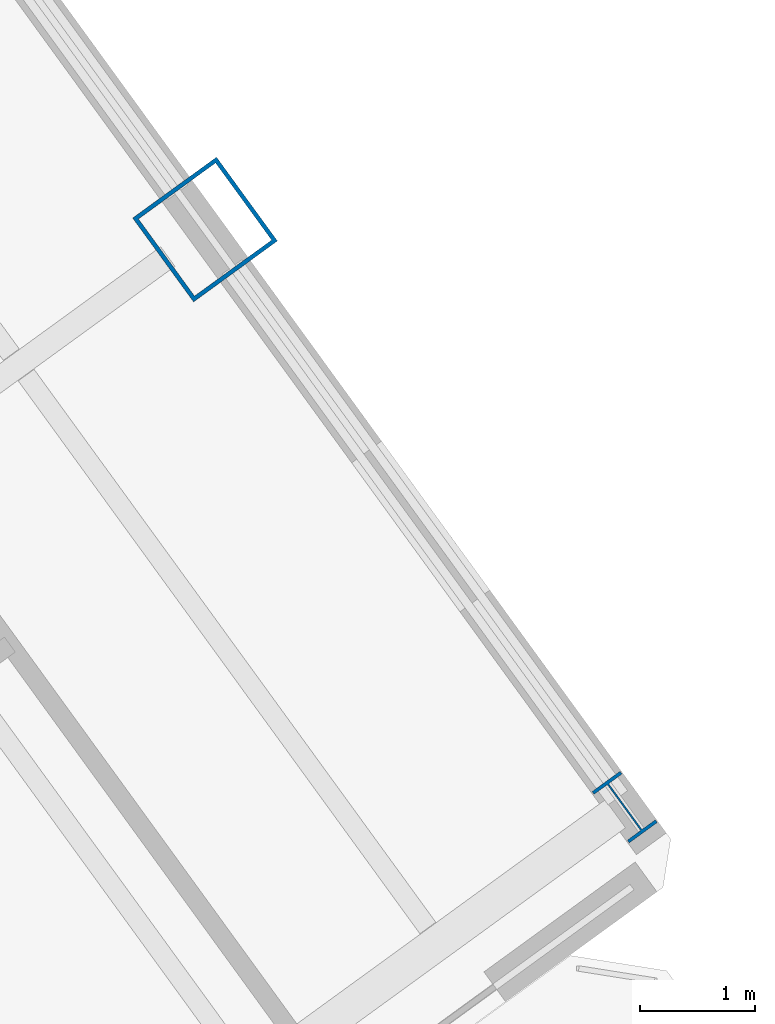
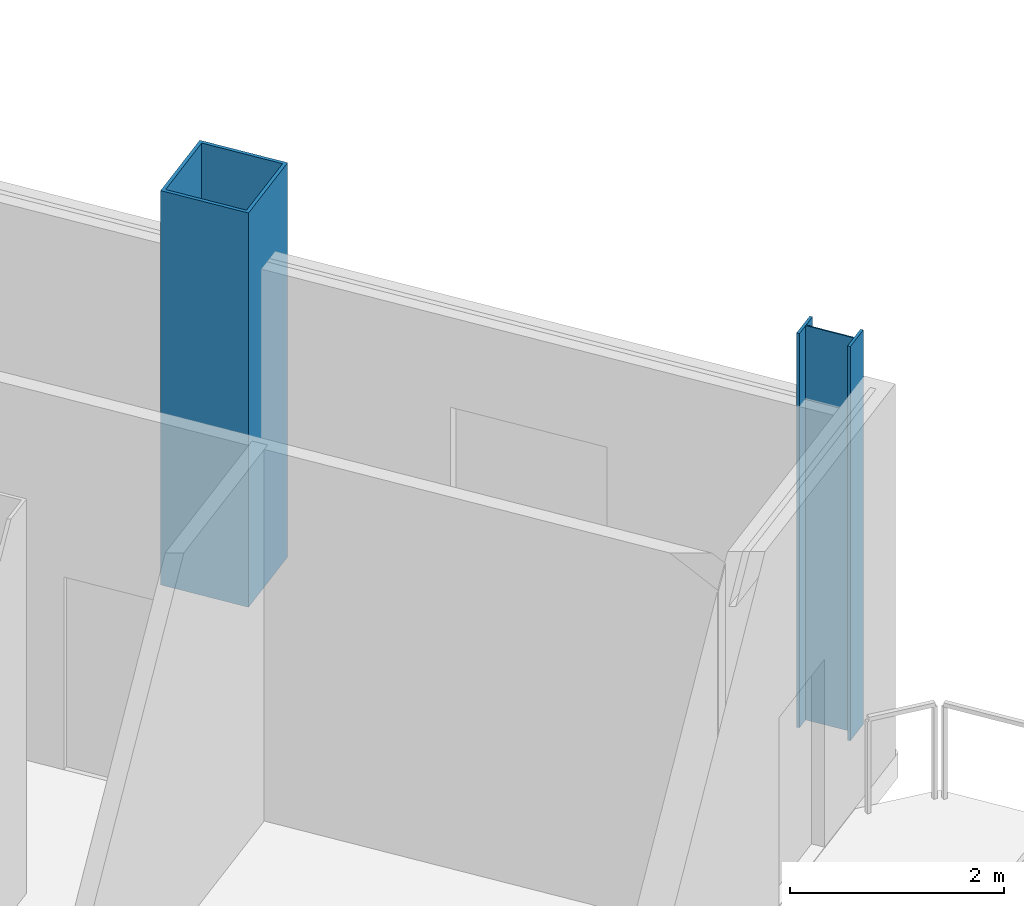
# One storey, part 4 of 18: 2 columns.
"""IFC4 building model written with IfcOpenShell, lengths in metres."""

import ifcopenshell
import ifcopenshell.guid

model = None  # the IFC model being written
_history = None  # IfcOwnerHistory: only IFC2X3 demands one
_inside = {}  # id of a spatial element -> (the spatial element, [elements in it])
_under = {}  # id of a project, library or spatial element -> (it, [spatial elements below it])
_declared = {}  # id of a project -> (the project, [libraries it declares])
_typed = {}  # id of a type object -> (the type object, [elements of that type])
_made_of = {}  # id of a material, layer set ... -> (it, [elements and type objects made of it])


def new_model(schema):
    """Start an empty IFC model of exactly this schema.

    Asked for "IFC4X3", IfcOpenShell would pick the latest addendum, in which some entities
    have other attributes; the version numbers below select the first issue.
    IFC2X3 requires an IfcOwnerHistory on every rooted entity: one is made here for all.
    """
    global model, _history
    if schema == "IFC4X3":
        model = ifcopenshell.file(schema_version=(4, 3, 0, 0))
    else:
        model = ifcopenshell.file(schema=schema)
    _inside.clear()
    _under.clear()
    _declared.clear()
    _typed.clear()
    _made_of.clear()
    _history = None
    if model.schema == "IFC2X3":
        org = make("IfcOrganization", Name="unknown")
        user = make(
            "IfcPersonAndOrganization",
            ThePerson=make("IfcPerson", FamilyName="unknown"),
            TheOrganization=org,
        )
        app = make(
            "IfcApplication",
            ApplicationDeveloper=org,
            Version="unknown",
            ApplicationFullName="unknown",
            ApplicationIdentifier="unknown",
        )
        _history = make(
            "IfcOwnerHistory",
            OwningUser=user,
            OwningApplication=app,
            ChangeAction="ADDED",
            CreationDate=0,
        )
    return model


def make(cls, **values):
    """One entity of the class cls with the attributes given. An attribute that is None is left unset."""
    return model.create_entity(
        cls, **{name: value for name, value in values.items() if value is not None}
    )


def rooted(cls, **values):
    """An entity with a GlobalId (a new one), such as an element, a storey or a relation."""
    return make(cls, GlobalId=ifcopenshell.guid.new(), OwnerHistory=_history, **values)


def si_unit(unit_type, name, prefix=None):
    """IfcSIUnit, for example si_unit("LENGTHUNIT", "METRE", prefix="MILLI")."""
    return make("IfcSIUnit", UnitType=unit_type, Prefix=prefix, Name=name)


def assignment(units):
    """IfcUnitAssignment: the units of a project."""
    return None if units is None else make("IfcUnitAssignment", Units=units)


def point(xyz):
    """IfcCartesianPoint."""
    return None if xyz is None else make("IfcCartesianPoint", Coordinates=xyz)


def direction(xyz):
    """IfcDirection."""
    return None if xyz is None else make("IfcDirection", DirectionRatios=xyz)


def frame(location, z_axis=None, x_axis=None):
    """IfcAxis2Placement3D, a coordinate frame: its origin and axes. An axis left out is left unset."""
    return make(
        "IfcAxis2Placement3D",
        Location=point(location),
        Axis=direction(z_axis),
        RefDirection=direction(x_axis),
    )


def frame_2d(location, x_axis=None):
    """IfcAxis2Placement2D, a coordinate frame in the plane: its origin and x axis."""
    return make(
        "IfcAxis2Placement2D", Location=point(location), RefDirection=direction(x_axis)
    )


def origin():
    """The frame at (0, 0, 0) with its axes left unset."""
    return frame((0.0, 0.0, 0.0))


def origin_2d():
    """The frame at (0, 0) in the plane with its x axis left unset."""
    return frame_2d((0.0, 0.0))


def place(relative_to, where):
    """IfcLocalPlacement: puts the frame where relative to a parent placement (None: the world)."""
    return make(
        "IfcLocalPlacement", PlacementRelTo=relative_to, RelativePlacement=where
    )


def context(
    kind, dimensions, precision=None, world=None, true_north=None, identifier=None
):
    """IfcGeometricRepresentationContext, for example the 3D "Model" context."""
    return make(
        "IfcGeometricRepresentationContext",
        ContextIdentifier=identifier,
        ContextType=kind,
        CoordinateSpaceDimension=dimensions,
        Precision=precision,
        WorldCoordinateSystem=world,
        TrueNorth=true_north,
    )


def subcontext(parent, identifier, kind, view, scale=None):
    """IfcGeometricRepresentationSubContext, for example "Body" below "Model"."""
    return make(
        "IfcGeometricRepresentationSubContext",
        ContextIdentifier=identifier,
        ContextType=kind,
        ParentContext=parent,
        TargetScale=scale,
        TargetView=view,
    )


def project(units=None, contexts=None):
    """IfcProject with its units and contexts."""
    return rooted(
        "IfcProject",
        Name="project",
        RepresentationContexts=contexts,
        UnitsInContext=assignment(units),
    )


def spatial(cls, under=None, at=None, **own):
    """A site, building, storey or space (cls), placed at a placement, below another one or the project."""
    s = rooted(cls, ObjectPlacement=at, **own)
    if under is not None:
        _under.setdefault(under.id(), (under, []))[1].append(s)
    return s


def profile(cls, at=None, kind="AREA", **sizes):
    """A parametric profile (cls). Its sizes go by their IFC names, for example OverallWidth=200.0."""
    return make(cls, ProfileType=kind, Position=at, **sizes)


def hollow_rectangle(**sizes):
    """IfcRectangleHollowProfileDef."""
    return profile("IfcRectangleHollowProfileDef", **sizes)


def i_section(**sizes):
    """IfcIShapeProfileDef."""
    return profile("IfcIShapeProfileDef", **sizes)


def extrude(swept, where, along, depth):
    """IfcExtrudedAreaSolid: the profile swept, set in the frame where, extruded along a direction by depth."""
    return make(
        "IfcExtrudedAreaSolid",
        SweptArea=swept,
        Position=where,
        ExtrudedDirection=direction(along),
        Depth=depth,
    )


def shape(context_of_items, identifier, shape_type, items):
    """IfcShapeRepresentation: the items that make up one representation, for example the "Body"."""
    return make(
        "IfcShapeRepresentation",
        ContextOfItems=context_of_items,
        RepresentationIdentifier=identifier,
        RepresentationType=shape_type,
        Items=items,
    )


def source(mapping_origin, context_of_items, identifier, shape_type, items):
    """IfcRepresentationMap: a shape defined once, which mapped items show again and again."""
    return make(
        "IfcRepresentationMap",
        MappingOrigin=mapping_origin,
        MappedRepresentation=shape(context_of_items, identifier, shape_type, items),
    )


def transform(
    local_origin,
    x_axis=None,
    y_axis=None,
    z_axis=None,
    scale=None,
    scale2=None,
    scale3=None,
    uniform=True,
):
    """IfcCartesianTransformationOperator3D, or its non-uniform kind. x_axis, y_axis, z_axis: its Axis1, 2, 3."""
    if uniform:
        return make(
            "IfcCartesianTransformationOperator3D",
            Axis1=direction(x_axis),
            Axis2=direction(y_axis),
            LocalOrigin=point(local_origin),
            Scale=scale,
            Axis3=direction(z_axis),
        )
    return make(
        "IfcCartesianTransformationOperator3DnonUniform",
        Axis1=direction(x_axis),
        Axis2=direction(y_axis),
        LocalOrigin=point(local_origin),
        Scale=scale,
        Axis3=direction(z_axis),
        Scale2=scale2,
        Scale3=scale3,
    )


def mapped(mapping_source, mapping_target):
    """IfcMappedItem: shows the shape of a source again, moved by a transform."""
    return make(
        "IfcMappedItem", MappingSource=mapping_source, MappingTarget=mapping_target
    )


def material(Name=None, Category=None):
    """IfcMaterial."""
    return make("IfcMaterial", Name=Name, Category=Category)


def material_profile(
    of_material, cross_section, Name=None, Category=None, Priority=None
):
    """IfcMaterialProfile: a cross section and its material."""
    return make(
        "IfcMaterialProfile",
        Name=Name,
        Material=of_material,
        Profile=cross_section,
        Priority=Priority,
        Category=Category,
    )


def profile_set(profiles, Name=None, composite=None):
    """IfcMaterialProfileSet."""
    return make(
        "IfcMaterialProfileSet",
        Name=Name,
        MaterialProfiles=profiles,
        CompositeProfile=composite,
    )


def made_of(thing, what):
    """Note that an element or type object is made of a material, layer set ...; save() writes the relation."""
    if what is not None:
        _made_of.setdefault(what.id(), (what, []))[1].append(thing)
    return thing


def type_object(cls, material=None, **own):
    """A type object (cls), such as IfcWallType, which elements share."""
    return made_of(rooted(cls, **own), material)


def element(
    cls,
    number,
    at=None,
    inside=None,
    cuts=None,
    type_object=None,
    material=None,
    context=None,
    identifier="Body",
    shape_type=None,
    held_by="IfcProductDefinitionShape",
    body=None,
    shapes=None,
    **own,
):
    """One element of the class cls, such as IfcWall. Its Tag is "e" and its number.

    at: its placement. inside: the storey or other place that contains it. cuts: it is an
    opening in that element (IfcRelVoidsElement). A single representation is given by context,
    identifier, shape_type and body (its items); several are given by shapes. held_by: the class
    of the entity that holds the representations. save() writes the other relations.
    """
    e = rooted(cls, Tag="e%d" % number, ObjectPlacement=at, **own)
    if body is not None:
        shapes = [shape(context, identifier, shape_type, body)]
    if shapes is not None:
        e.Representation = make(held_by, Representations=shapes)
    if inside is not None:
        _inside.setdefault(inside.id(), (inside, []))[1].append(e)
    if cuts is not None:
        rooted(
            "IfcRelVoidsElement", RelatingBuildingElement=cuts, RelatedOpeningElement=e
        )
    if type_object is not None:
        _typed.setdefault(type_object.id(), (type_object, []))[1].append(e)
    return made_of(e, material)


def aggregate(whole, parts):
    """IfcRelAggregates: a whole, such as a stair, and the parts it consists of."""
    return rooted("IfcRelAggregates", RelatingObject=whole, RelatedObjects=parts)


def save(model, path):
    """Write the relations noted so far, then the file.

    IfcRelAggregates (storeys below a building ...), IfcRelContainedInSpatialStructure (elements
    in a storey), IfcRelDefinesByType, IfcRelAssociatesMaterial and IfcRelDeclares: one each for
    every whole, place, type object, material and project.
    """
    for whole, parts in _under.values():
        aggregate(whole, parts)
    for where, things in _inside.values():
        rooted(
            "IfcRelContainedInSpatialStructure",
            RelatedElements=things,
            RelatingStructure=where,
        )
    for kind, things in _typed.values():
        rooted("IfcRelDefinesByType", RelatedObjects=things, RelatingType=kind)
    for what, things in _made_of.values():
        rooted("IfcRelAssociatesMaterial", RelatedObjects=things, RelatingMaterial=what)
    for by, libraries in _declared.values():
        rooted("IfcRelDeclares", RelatingContext=by, RelatedDefinitions=libraries)
    model.write(path)


model = new_model("IFC4")

# Units and contexts
model_context = context("Model", 3, precision=1e-05, world=origin(), true_north=direction((0.0, 1.0)))
body_context = subcontext(model_context, "Body", "Model", "MODEL_VIEW")
ifc_project = project(units=[si_unit("LENGTHUNIT", "METRE"), si_unit("AREAUNIT", "SQUARE_METRE"), si_unit("VOLUMEUNIT", "CUBIC_METRE"), si_unit("PLANEANGLEUNIT", "RADIAN"), si_unit("MASSUNIT", "GRAM", prefix="KILO")], contexts=[model_context])

# Site, building, storey
site_placement = place(None, origin())
site = spatial("IfcSite", under=ifc_project, at=site_placement, CompositionType="ELEMENT")
building_placement = place(site_placement, origin())
building = spatial("IfcBuilding", under=site, at=building_placement, Name="Tlacorven Tower", CompositionType="ELEMENT")
storey_placement = place(building_placement, frame((0.0, 0.0, 136.199951171875)))
storey = spatial("IfcBuildingStorey", under=building, at=storey_placement, Name="L34", CompositionType="ELEMENT", Elevation=136.199951171875)

# Columns
ifc_material = material(Name="Steel S460M", Category="steel")
ifc_material_profile_1 = material_profile(ifc_material, hollow_rectangle(XDim=0.89990234375, YDim=0.89990234375, WallThickness=0.035888671875, at=origin_2d()), Name="BOX 900X900X36")
ifc_profile_set_1 = profile_set([ifc_material_profile_1], Name="Steel S460M")
column_type_1 = type_object("IfcColumnType", Name="COL-TWR-S2", PredefinedType="COLUMN", material=ifc_profile_set_1)
shared_shape_1 = source(origin(), body_context, "Body", "SweptSolid", [
    extrude(hollow_rectangle(XDim=0.89990234375, YDim=0.89990234375, WallThickness=0.035888671875, at=origin_2d()), origin(), (0.0, 0.0, 1.0), 4.5),
])
column_1_placement = place(storey_placement, frame((67.267822265625, 23.353515625, 0.0), z_axis=(0.0, 0.0, 1.0), x_axis=(0.809016994375, 0.587785252292, 0.0)))
element("IfcColumn", 1, at=column_1_placement, inside=storey, type_object=column_type_1, Name="L34 column COL-L34-E4-2", PredefinedType="COLUMN", context=body_context, shape_type="MappedRepresentation", body=[
    mapped(shared_shape_1, transform((0.0, 0.0, 0.0), scale=1.0)),
])
ifc_material_profile_2 = material_profile(ifc_material, i_section(OverallWidth=0.300048828125, OverallDepth=0.550048828125, WebThickness=0.014892578125, FlangeThickness=0.029052734375, at=origin_2d()), Name="HEB 550")
ifc_profile_set_2 = profile_set([ifc_material_profile_2], Name="Steel S460M")
column_type_2 = type_object("IfcColumnType", Name="COL-TWR-P2", PredefinedType="COLUMN", material=ifc_profile_set_2)
shared_shape_2 = source(origin(), body_context, "Body", "SweptSolid", [
    extrude(i_section(OverallWidth=0.300048828125, OverallDepth=0.550048828125, WebThickness=0.014892578125, FlangeThickness=0.029052734375, at=origin_2d()), origin(), (0.0, 0.0, 1.0), 4.5),
])
column_2_placement = place(storey_placement, frame((70.911865234375, 18.337646484375, 0.0), z_axis=(0.0, 0.0, 1.0), x_axis=(0.809016994375, 0.587785252292, 0.0)))
element("IfcColumn", 2, at=column_2_placement, inside=storey, type_object=column_type_2, Name="L34 column COL-L34-E4-1", PredefinedType="COLUMN", context=body_context, shape_type="MappedRepresentation", body=[
    mapped(shared_shape_2, transform((0.0, 0.0, 0.0), scale=1.0)),
])

save(model, "model.ifc")
